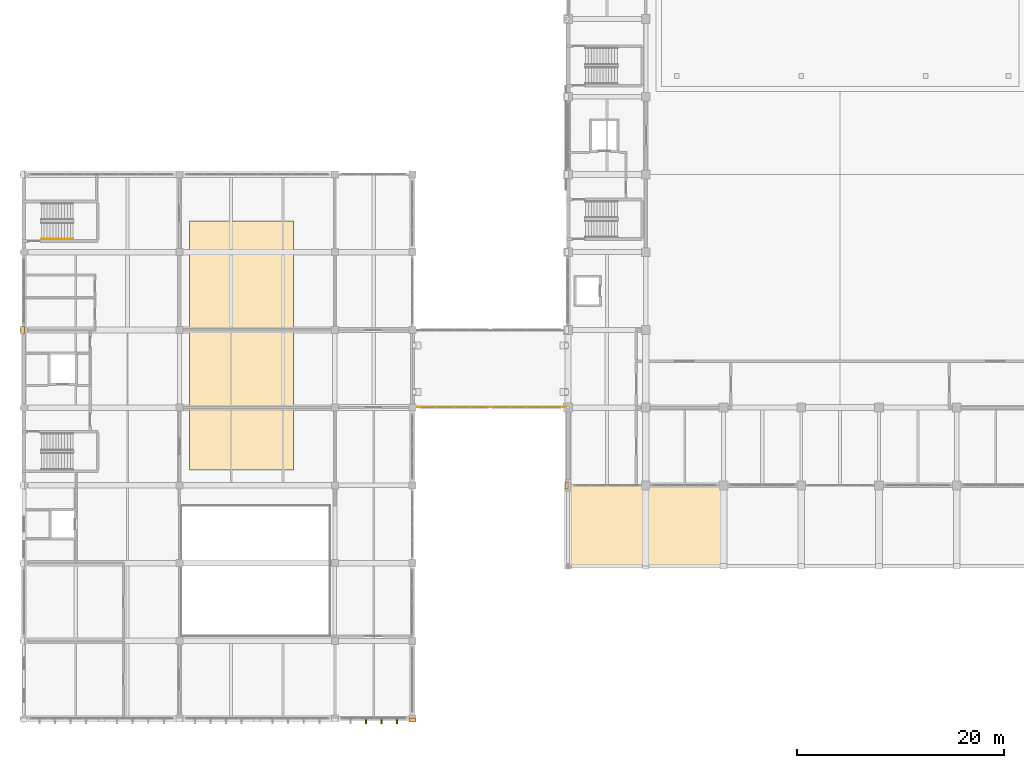
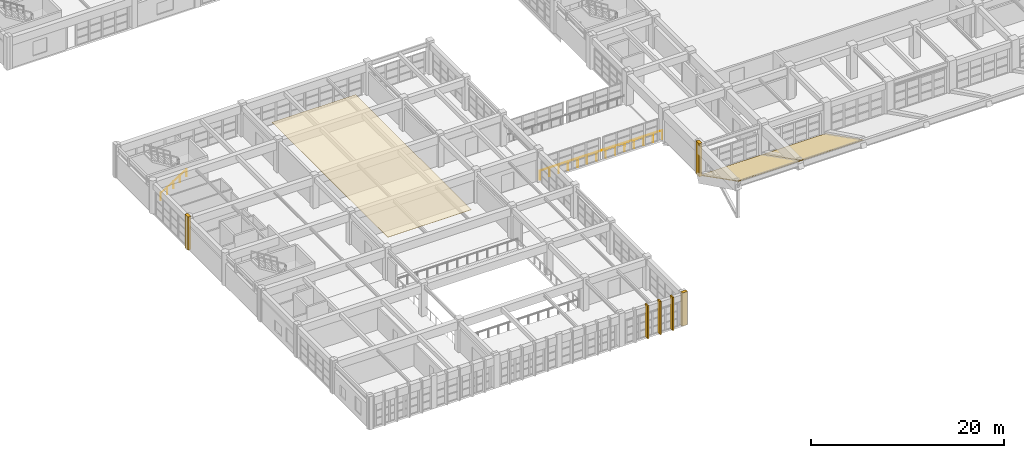
# One storey, part 119 of 132: 9 coverings, 2 railings.
"""IFC4 building model written with IfcOpenShell, lengths in metres."""

import ifcopenshell
import ifcopenshell.guid

model = None  # the IFC model being written
_history = None  # IfcOwnerHistory: only IFC2X3 demands one
_inside = {}  # id of a spatial element -> (the spatial element, [elements in it])
_under = {}  # id of a project, library or spatial element -> (it, [spatial elements below it])
_declared = {}  # id of a project -> (the project, [libraries it declares])
_typed = {}  # id of a type object -> (the type object, [elements of that type])
_made_of = {}  # id of a material, layer set ... -> (it, [elements and type objects made of it])


def new_model(schema):
    """Start an empty IFC model of exactly this schema.

    Asked for "IFC4X3", IfcOpenShell would pick the latest addendum, in which some entities
    have other attributes; the version numbers below select the first issue.
    IFC2X3 requires an IfcOwnerHistory on every rooted entity: one is made here for all.
    """
    global model, _history
    if schema == "IFC4X3":
        model = ifcopenshell.file(schema_version=(4, 3, 0, 0))
    else:
        model = ifcopenshell.file(schema=schema)
    _inside.clear()
    _under.clear()
    _declared.clear()
    _typed.clear()
    _made_of.clear()
    _history = None
    if model.schema == "IFC2X3":
        org = make("IfcOrganization", Name="unknown")
        user = make(
            "IfcPersonAndOrganization",
            ThePerson=make("IfcPerson", FamilyName="unknown"),
            TheOrganization=org,
        )
        app = make(
            "IfcApplication",
            ApplicationDeveloper=org,
            Version="unknown",
            ApplicationFullName="unknown",
            ApplicationIdentifier="unknown",
        )
        _history = make(
            "IfcOwnerHistory",
            OwningUser=user,
            OwningApplication=app,
            ChangeAction="ADDED",
            CreationDate=0,
        )
    return model


def make(cls, **values):
    """One entity of the class cls with the attributes given. An attribute that is None is left unset."""
    return model.create_entity(
        cls, **{name: value for name, value in values.items() if value is not None}
    )


def rooted(cls, **values):
    """An entity with a GlobalId (a new one), such as an element, a storey or a relation."""
    return make(cls, GlobalId=ifcopenshell.guid.new(), OwnerHistory=_history, **values)


def si_unit(unit_type, name, prefix=None):
    """IfcSIUnit, for example si_unit("LENGTHUNIT", "METRE", prefix="MILLI")."""
    return make("IfcSIUnit", UnitType=unit_type, Prefix=prefix, Name=name)


def assignment(units):
    """IfcUnitAssignment: the units of a project."""
    return None if units is None else make("IfcUnitAssignment", Units=units)


def point(xyz):
    """IfcCartesianPoint."""
    return None if xyz is None else make("IfcCartesianPoint", Coordinates=xyz)


def direction(xyz):
    """IfcDirection."""
    return None if xyz is None else make("IfcDirection", DirectionRatios=xyz)


def frame(location, z_axis=None, x_axis=None):
    """IfcAxis2Placement3D, a coordinate frame: its origin and axes. An axis left out is left unset."""
    return make(
        "IfcAxis2Placement3D",
        Location=point(location),
        Axis=direction(z_axis),
        RefDirection=direction(x_axis),
    )


def frame_2d(location, x_axis=None):
    """IfcAxis2Placement2D, a coordinate frame in the plane: its origin and x axis."""
    return make(
        "IfcAxis2Placement2D", Location=point(location), RefDirection=direction(x_axis)
    )


def origin():
    """The frame at (0, 0, 0) with its axes left unset."""
    return frame((0.0, 0.0, 0.0))


def origin_2d():
    """The frame at (0, 0) in the plane with its x axis left unset."""
    return frame_2d((0.0, 0.0))


def place(relative_to, where):
    """IfcLocalPlacement: puts the frame where relative to a parent placement (None: the world)."""
    return make(
        "IfcLocalPlacement", PlacementRelTo=relative_to, RelativePlacement=where
    )


def context(
    kind, dimensions, precision=None, world=None, true_north=None, identifier=None
):
    """IfcGeometricRepresentationContext, for example the 3D "Model" context."""
    return make(
        "IfcGeometricRepresentationContext",
        ContextIdentifier=identifier,
        ContextType=kind,
        CoordinateSpaceDimension=dimensions,
        Precision=precision,
        WorldCoordinateSystem=world,
        TrueNorth=true_north,
    )


def subcontext(parent, identifier, kind, view, scale=None):
    """IfcGeometricRepresentationSubContext, for example "Body" below "Model"."""
    return make(
        "IfcGeometricRepresentationSubContext",
        ContextIdentifier=identifier,
        ContextType=kind,
        ParentContext=parent,
        TargetScale=scale,
        TargetView=view,
    )


def project(units=None, contexts=None):
    """IfcProject with its units and contexts."""
    return rooted(
        "IfcProject",
        Name="project",
        RepresentationContexts=contexts,
        UnitsInContext=assignment(units),
    )


def spatial(cls, under=None, at=None, **own):
    """A site, building, storey or space (cls), placed at a placement, below another one or the project."""
    s = rooted(cls, ObjectPlacement=at, **own)
    if under is not None:
        _under.setdefault(under.id(), (under, []))[1].append(s)
    return s


def polyline(points):
    """IfcPolyline through the points."""
    return make("IfcPolyline", Points=[point(p) for p in points])


def profile(cls, at=None, kind="AREA", **sizes):
    """A parametric profile (cls). Its sizes go by their IFC names, for example OverallWidth=200.0."""
    return make(cls, ProfileType=kind, Position=at, **sizes)


def rectangle(**sizes):
    """IfcRectangleProfileDef."""
    return profile("IfcRectangleProfileDef", **sizes)


def circle(**sizes):
    """IfcCircleProfileDef."""
    return profile("IfcCircleProfileDef", **sizes)


def outline(outer, holes=None, kind="AREA"):
    """IfcArbitraryClosedProfileDef: a profile drawn as a closed curve; with holes, ...WithVoids."""
    if holes is None:
        return make("IfcArbitraryClosedProfileDef", ProfileType=kind, OuterCurve=outer)
    return make(
        "IfcArbitraryProfileDefWithVoids",
        ProfileType=kind,
        OuterCurve=outer,
        InnerCurves=holes,
    )


def extrude(swept, where, along, depth):
    """IfcExtrudedAreaSolid: the profile swept, set in the frame where, extruded along a direction by depth."""
    return make(
        "IfcExtrudedAreaSolid",
        SweptArea=swept,
        Position=where,
        ExtrudedDirection=direction(along),
        Depth=depth,
    )


def shape(context_of_items, identifier, shape_type, items):
    """IfcShapeRepresentation: the items that make up one representation, for example the "Body"."""
    return make(
        "IfcShapeRepresentation",
        ContextOfItems=context_of_items,
        RepresentationIdentifier=identifier,
        RepresentationType=shape_type,
        Items=items,
    )


def material(Name=None, Category=None):
    """IfcMaterial."""
    return make("IfcMaterial", Name=Name, Category=Category)


def layer(
    of_material, thickness, ventilated=None, Name=None, Category=None, Priority=None
):
    """IfcMaterialLayer: one layer of a wall or slab, of a material (None: an air gap)."""
    return make(
        "IfcMaterialLayer",
        Material=of_material,
        LayerThickness=thickness,
        IsVentilated=ventilated,
        Name=Name,
        Category=Category,
        Priority=Priority,
    )


def layer_set(layers, Name=None):
    """IfcMaterialLayerSet."""
    return make("IfcMaterialLayerSet", MaterialLayers=layers, LayerSetName=Name)


def made_of(thing, what):
    """Note that an element or type object is made of a material, layer set ...; save() writes the relation."""
    if what is not None:
        _made_of.setdefault(what.id(), (what, []))[1].append(thing)
    return thing


def type_object(cls, material=None, **own):
    """A type object (cls), such as IfcWallType, which elements share."""
    return made_of(rooted(cls, **own), material)


def element(
    cls,
    number,
    at=None,
    inside=None,
    cuts=None,
    type_object=None,
    material=None,
    context=None,
    identifier="Body",
    shape_type=None,
    held_by="IfcProductDefinitionShape",
    body=None,
    shapes=None,
    **own,
):
    """One element of the class cls, such as IfcWall. Its Tag is "e" and its number.

    at: its placement. inside: the storey or other place that contains it. cuts: it is an
    opening in that element (IfcRelVoidsElement). A single representation is given by context,
    identifier, shape_type and body (its items); several are given by shapes. held_by: the class
    of the entity that holds the representations. save() writes the other relations.
    """
    e = rooted(cls, Tag="e%d" % number, ObjectPlacement=at, **own)
    if body is not None:
        shapes = [shape(context, identifier, shape_type, body)]
    if shapes is not None:
        e.Representation = make(held_by, Representations=shapes)
    if inside is not None:
        _inside.setdefault(inside.id(), (inside, []))[1].append(e)
    if cuts is not None:
        rooted(
            "IfcRelVoidsElement", RelatingBuildingElement=cuts, RelatedOpeningElement=e
        )
    if type_object is not None:
        _typed.setdefault(type_object.id(), (type_object, []))[1].append(e)
    return made_of(e, material)


def aggregate(whole, parts):
    """IfcRelAggregates: a whole, such as a stair, and the parts it consists of."""
    return rooted("IfcRelAggregates", RelatingObject=whole, RelatedObjects=parts)


def save(model, path):
    """Write the relations noted so far, then the file.

    IfcRelAggregates (storeys below a building ...), IfcRelContainedInSpatialStructure (elements
    in a storey), IfcRelDefinesByType, IfcRelAssociatesMaterial and IfcRelDeclares: one each for
    every whole, place, type object, material and project.
    """
    for whole, parts in _under.values():
        aggregate(whole, parts)
    for where, things in _inside.values():
        rooted(
            "IfcRelContainedInSpatialStructure",
            RelatedElements=things,
            RelatingStructure=where,
        )
    for kind, things in _typed.values():
        rooted("IfcRelDefinesByType", RelatedObjects=things, RelatingType=kind)
    for what, things in _made_of.values():
        rooted("IfcRelAssociatesMaterial", RelatedObjects=things, RelatingMaterial=what)
    for by, libraries in _declared.values():
        rooted("IfcRelDeclares", RelatingContext=by, RelatedDefinitions=libraries)
    model.write(path)


model = new_model("IFC4")

# Units and contexts
model_context = context("Model", 3, precision=1e-05, world=origin(), true_north=direction((0.0, 1.0)))
body_context = subcontext(model_context, "Body", "Model", "MODEL_VIEW")
ifc_project = project(units=[si_unit("LENGTHUNIT", "METRE"), si_unit("AREAUNIT", "SQUARE_METRE"), si_unit("VOLUMEUNIT", "CUBIC_METRE"), si_unit("PLANEANGLEUNIT", "RADIAN"), si_unit("MASSUNIT", "GRAM", prefix="KILO")], contexts=[model_context])

# Site, building, storey
site_placement = place(None, origin())
site = spatial("IfcSite", under=ifc_project, at=site_placement, CompositionType="ELEMENT")
building_placement = place(site_placement, origin())
building = spatial("IfcBuilding", under=site, at=building_placement, Name="Qasida Concert Hall", CompositionType="ELEMENT")
storey_placement = place(building_placement, frame((0.0, 0.0, 4.800048828125)))
storey = spatial("IfcBuildingStorey", under=building, at=storey_placement, Name="L01", CompositionType="ELEMENT", Elevation=4.800048828125)

# Coverings
ifc_material_1 = material(Name="Sculpted fibrous plaster acoustic reflector ceiling", Category="gypsum")
ifc_layer_1 = layer(ifc_material_1, 0.0400390625, Name="Sculpted fibrous plaster acoustic reflector ceiling")
ifc_layer_set_1 = layer_set([ifc_layer_1], Name="Sculpted fibrous plaster acoustic reflector ceiling")
covering_type_1 = type_object("IfcCoveringType", Name="CV-CE-1", PredefinedType="CEILING", material=ifc_layer_set_1)
for number, where, z_axis, x_axis, name in (
    (1, (52.5, 22.5, -0.050048828125), (0.0, 0.453595634134, 0.891207608077), (1.0, 0.0, 0.0), "Upward-sloping sheltered entrance soffit bay 1"),
    (2, (60.0, 22.5, -0.050048828125), (0.0, 0.453595634134, 0.891207608077), (1.0, 0.0, 0.0), "Upward-sloping sheltered entrance soffit bay 2"),
):
    element("IfcCovering", number, at=place(storey_placement, frame(where, z_axis=z_axis, x_axis=x_axis)), inside=storey, type_object=covering_type_1, Name=name, PredefinedType="CEILING", context=body_context, shape_type="SweptSolid", body=[
        extrude(outline(polyline([(0.0, 0.0), (7.5, 0.0), (7.5, -8.752224237575554), (0.0, -8.752224237575554), (0.0, 0.0)])), origin(), (0.0, 0.0, -1.0), 0.080078125),
    ])
covering_1_placement = place(storey_placement, frame((0.0, 0.0, 3.89990234375)))
element("IfcCovering", 3, at=covering_1_placement, inside=storey, type_object=covering_type_1, Name="L01 acoustic reflector ceiling 03", PredefinedType="CEILING", context=body_context, shape_type="SweptSolid", body=[
    extrude(outline(polyline([(16.0, 24.0), (26.0, 24.0), (26.0, 48.0), (16.0, 48.0), (16.0, 24.0)])), origin(), (0.0, 0.0, 1.0), 0.0400390625),
])
ifc_material_2 = material(Name="Fluted ochre Lebanese limestone and patinated bronze fin", Category="masonry")
ifc_layer_2 = layer(ifc_material_2, 0.52001953125, Name="Fluted ochre Lebanese limestone and patinated bronze fin")
ifc_layer_set_2 = layer_set([ifc_layer_2], Name="Fluted ochre Lebanese limestone and patinated bronze fin")
covering_type_2 = type_object("IfcCoveringType", Name="CV-FIN-520", PredefinedType="CLADDING", material=ifc_layer_set_2)
for number, where, z_axis, x_axis, name in (
    (4, (33.0, -0.239990234375, 0.0), (0.0, 0.0, 1.0), (1.0, 0.0, 0.0), "L01 foyer fluted solar fin FN3-087"),
    (5, (34.5, -0.239990234375, 0.0), (0.0, 0.0, 1.0), (1.0, 0.0, 0.0), "L01 foyer fluted solar fin FN3-088"),
    (6, (36.0, -0.239990234375, 0.0), (0.0, 0.0, 1.0), (1.0, 0.0, 0.0), "L01 foyer fluted solar fin FN3-089"),
):
    element("IfcCovering", number, at=place(storey_placement, frame(where, z_axis=z_axis, x_axis=x_axis)), inside=storey, type_object=covering_type_2, Name=name, PredefinedType="CLADDING", context=body_context, shape_type="SweptSolid", body=[
        extrude(rectangle(XDim=0.139892578125, YDim=0.52001953125, at=origin_2d()), origin(), (0.0, 0.0, 1.0), 4.199951171875),
    ])
ifc_material_3 = material(Name="Projecting fluted Lebanese limestone Art Deco pilaster", Category="masonry")
ifc_layer_3 = layer(ifc_material_3, 0.35009765625, Name="Projecting fluted Lebanese limestone Art Deco pilaster")
ifc_layer_set_3 = layer_set([ifc_layer_3], Name="Projecting fluted Lebanese limestone Art Deco pilaster")
covering_type_3 = type_object("IfcCoveringType", Name="CV-PIL-650", PredefinedType="CLADDING", material=ifc_layer_set_3)
covering_2_placement = place(storey_placement, frame((52.364990234375, 22.5, 0.0), z_axis=(0.0, 0.0, 1.0), x_axis=(1.0, 0.0, 0.0)))
element("IfcCovering", 7, at=covering_2_placement, inside=storey, type_object=covering_type_3, Name="L01 fluted limestone pilaster 0002", PredefinedType="CLADDING", context=body_context, shape_type="SweptSolid", body=[
    extrude(rectangle(XDim=0.35009765625, YDim=0.64990234375, at=origin_2d()), origin(), (0.0, 0.0, 1.0), 4.199951171875),
])
covering_3_placement = place(storey_placement, frame((37.5, -0.135009765625, 0.0), z_axis=(0.0, 0.0, 1.0), x_axis=(1.0, 0.0, 0.0)))
element("IfcCovering", 8, at=covering_3_placement, inside=storey, type_object=covering_type_3, Name="L01 fluted limestone pilaster 0162", PredefinedType="CLADDING", context=body_context, shape_type="SweptSolid", body=[
    extrude(rectangle(XDim=0.64990234375, YDim=0.35009765625, at=origin_2d()), origin(), (0.0, 0.0, 1.0), 4.199951171875),
])
covering_4_placement = place(storey_placement, frame((-0.135009765625, 37.5, 0.0), z_axis=(0.0, 0.0, 1.0), x_axis=(1.0, 0.0, 0.0)))
element("IfcCovering", 9, at=covering_4_placement, inside=storey, type_object=covering_type_3, Name="L01 fluted limestone pilaster 0180", PredefinedType="CLADDING", context=body_context, shape_type="SweptSolid", body=[
    extrude(rectangle(XDim=0.35009765625, YDim=0.64990234375, at=origin_2d()), origin(), (0.0, 0.0, 1.0), 4.199951171875),
])

# Railings
ifc_material_4 = material(Name="Patinated architectural bronze and laminated glass infill", Category="glass")
ifc_layer_4 = layer(ifc_material_4, 0.080078125, Name="Patinated architectural bronze and laminated glass infill")
ifc_layer_set_4 = layer_set([ifc_layer_4], Name="Patinated architectural bronze and laminated glass infill")
railing_type_1 = type_object("IfcRailingType", Name="RL-GRD-1100", PredefinedType="GUARDRAIL", material=ifc_layer_set_4)
railing_1_placement = place(storey_placement, frame((37.679931640625, 30.050048828125, 0.0)))
element("IfcRailing", 10, at=railing_1_placement, inside=storey, type_object=railing_type_1, Name="L01 Link bridge south guard 0024", PredefinedType="GUARDRAIL", context=body_context, shape_type="SweptSolid", body=[
    extrude(circle(Radius=0.02392578125, at=origin_2d()), frame((0.0, 0.0, 1.09619140625), z_axis=(1.0, 0.0, 0.0), x_axis=(0.0, 1.0, 0.0)), (0.0, 0.0, 1.0), 14.64013671875),
    extrude(circle(Radius=0.02099609375, at=origin_2d()), origin(), (0.0, 0.0, 1.0), 1.072021484375),
    extrude(circle(Radius=0.02099609375, at=origin_2d()), frame((1.126220703125, 0.0, 0.0)), (0.0, 0.0, 1.0), 1.072021484375),
    extrude(circle(Radius=0.02099609375, at=origin_2d()), frame((2.25244140625, 0.0, 0.0)), (0.0, 0.0, 1.0), 1.072021484375),
    extrude(circle(Radius=0.02099609375, at=origin_2d()), frame((3.37841796875, 0.0, 0.0)), (0.0, 0.0, 1.0), 1.072021484375),
    extrude(circle(Radius=0.02099609375, at=origin_2d()), frame((4.504638671875, 0.0, 0.0)), (0.0, 0.0, 1.0), 1.072021484375),
    extrude(circle(Radius=0.02099609375, at=origin_2d()), frame((5.630859375, 0.0, 0.0)), (0.0, 0.0, 1.0), 1.072021484375),
    extrude(circle(Radius=0.02099609375, at=origin_2d()), frame((6.757080078125, 0.0, 0.0)), (0.0, 0.0, 1.0), 1.072021484375),
    extrude(circle(Radius=0.02099609375, at=origin_2d()), frame((7.883056640625, 0.0, 0.0)), (0.0, 0.0, 1.0), 1.072021484375),
    extrude(circle(Radius=0.02099609375, at=origin_2d()), frame((9.00927734375, 0.0, 0.0)), (0.0, 0.0, 1.0), 1.072021484375),
    extrude(circle(Radius=0.02099609375, at=origin_2d()), frame((10.135498046875, 0.0, 0.0)), (0.0, 0.0, 1.0), 1.072021484375),
    extrude(circle(Radius=0.02099609375, at=origin_2d()), frame((11.26171875, 0.0, 0.0)), (0.0, 0.0, 1.0), 1.072021484375),
    extrude(circle(Radius=0.02099609375, at=origin_2d()), frame((12.3876953125, 0.0, 0.0)), (0.0, 0.0, 1.0), 1.072021484375),
    extrude(circle(Radius=0.02099609375, at=origin_2d()), frame((13.513916015625, 0.0, 0.0)), (0.0, 0.0, 1.0), 1.072021484375),
    extrude(circle(Radius=0.02099609375, at=origin_2d()), frame((14.64013671875, 0.0, 0.0)), (0.0, 0.0, 1.0), 1.072021484375),
])
ifc_material_5 = material(Name="Patinated tubular architectural bronze", Category="steel")
ifc_layer_5 = layer(ifc_material_5, 0.050048828125, Name="Patinated tubular architectural bronze")
ifc_layer_set_5 = layer_set([ifc_layer_5], Name="Patinated tubular architectural bronze")
railing_type_2 = type_object("IfcRailingType", Name="RL-HND-900", PredefinedType="HANDRAIL", material=ifc_layer_set_5)
railing_2_placement = place(storey_placement, frame((1.679931640625, 46.25, 0.175048828125)))
element("IfcRailing", 11, at=railing_2_placement, inside=storey, type_object=railing_type_2, Name="L01 ST-04 stair handrail 1", PredefinedType="HANDRAIL", context=body_context, shape_type="SweptSolid", body=[
    extrude(circle(Radius=0.02392578125, at=origin_2d()), frame((0.0, 0.0, 0.8759765625), z_axis=(0.848028513186, 0.0, 0.529950602248), x_axis=(0.0, 1.0, 0.0)), (0.0, 0.0, 1.0), 3.632080078125),
    extrude(circle(Radius=0.02099609375, at=origin_2d()), origin(), (0.0, 0.0, 1.0), 0.851806640625),
    extrude(circle(Radius=0.02099609375, at=origin_2d()), frame((0.77001953125, 0.0, 0.481201171875)), (0.0, 0.0, 1.0), 0.851806640625),
    extrude(circle(Radius=0.02099609375, at=origin_2d()), frame((1.5400390625, 0.0, 0.96240234375)), (0.0, 0.0, 1.0), 0.851806640625),
    extrude(circle(Radius=0.02099609375, at=origin_2d()), frame((2.31005859375, 0.0, 1.443603515625)), (0.0, 0.0, 1.0), 0.851806640625),
    extrude(circle(Radius=0.02099609375, at=origin_2d()), frame((3.080078125, 0.0, 1.9248046875)), (0.0, 0.0, 1.0), 0.851806640625),
])

save(model, "model.ifc")
